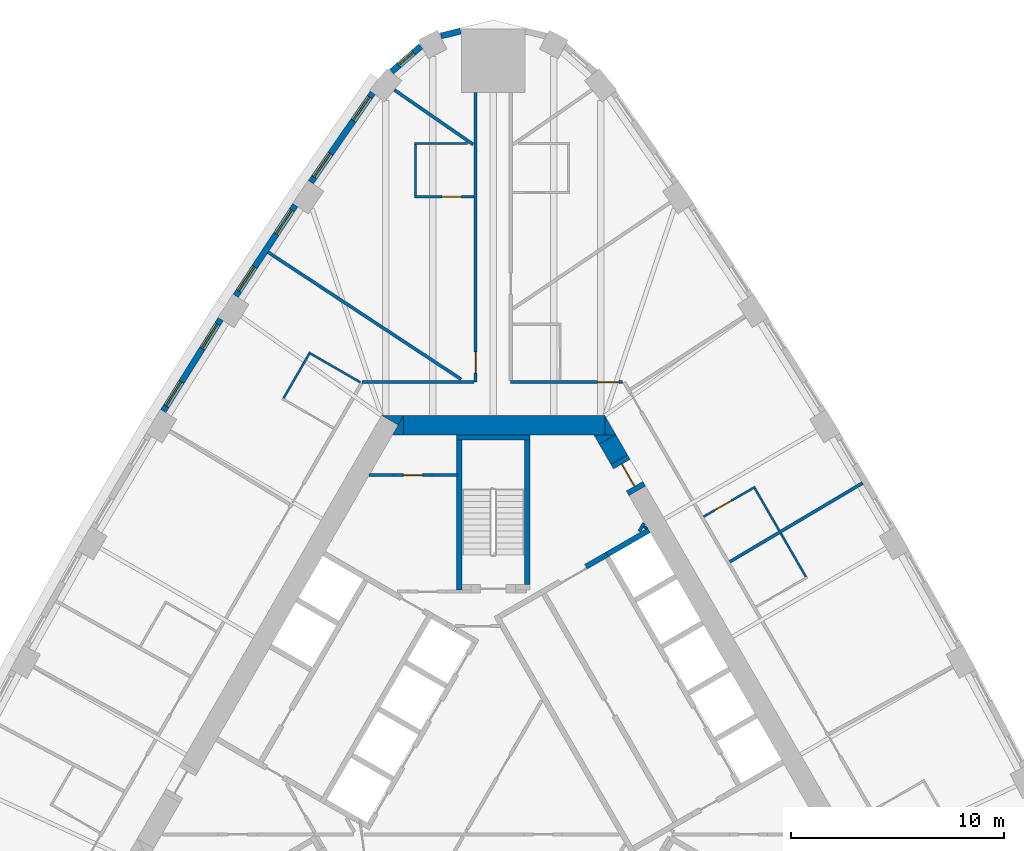
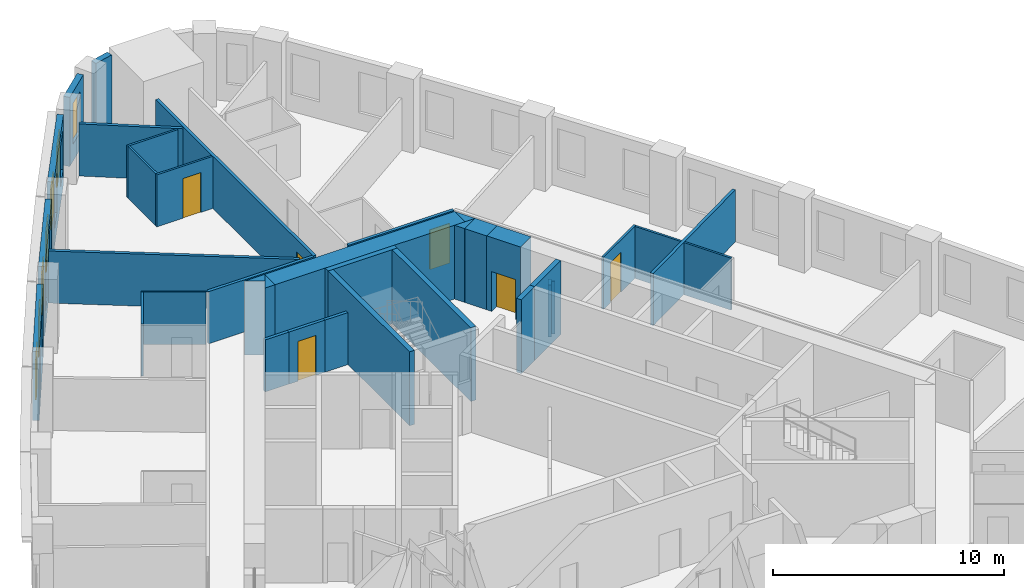
# One storey, part 10 of 12: 36 walls, 7 windows, 6 doors, 13 openings.
"""IFC4 building model written with IfcOpenShell, lengths in metres."""

import ifcopenshell
import ifcopenshell.guid

model = None  # the IFC model being written
_history = None  # IfcOwnerHistory: only IFC2X3 demands one
_inside = {}  # id of a spatial element -> (the spatial element, [elements in it])
_under = {}  # id of a project, library or spatial element -> (it, [spatial elements below it])
_declared = {}  # id of a project -> (the project, [libraries it declares])
_typed = {}  # id of a type object -> (the type object, [elements of that type])
_made_of = {}  # id of a material, layer set ... -> (it, [elements and type objects made of it])


def new_model(schema):
    """Start an empty IFC model of exactly this schema.

    Asked for "IFC4X3", IfcOpenShell would pick the latest addendum, in which some entities
    have other attributes; the version numbers below select the first issue.
    IFC2X3 requires an IfcOwnerHistory on every rooted entity: one is made here for all.
    """
    global model, _history
    if schema == "IFC4X3":
        model = ifcopenshell.file(schema_version=(4, 3, 0, 0))
    else:
        model = ifcopenshell.file(schema=schema)
    _inside.clear()
    _under.clear()
    _declared.clear()
    _typed.clear()
    _made_of.clear()
    _history = None
    if model.schema == "IFC2X3":
        org = make("IfcOrganization", Name="unknown")
        user = make(
            "IfcPersonAndOrganization",
            ThePerson=make("IfcPerson", FamilyName="unknown"),
            TheOrganization=org,
        )
        app = make(
            "IfcApplication",
            ApplicationDeveloper=org,
            Version="unknown",
            ApplicationFullName="unknown",
            ApplicationIdentifier="unknown",
        )
        _history = make(
            "IfcOwnerHistory",
            OwningUser=user,
            OwningApplication=app,
            ChangeAction="ADDED",
            CreationDate=0,
        )
    return model


def make(cls, **values):
    """One entity of the class cls with the attributes given. An attribute that is None is left unset."""
    return model.create_entity(
        cls, **{name: value for name, value in values.items() if value is not None}
    )


def rooted(cls, **values):
    """An entity with a GlobalId (a new one), such as an element, a storey or a relation."""
    return make(cls, GlobalId=ifcopenshell.guid.new(), OwnerHistory=_history, **values)


def si_unit(unit_type, name, prefix=None):
    """IfcSIUnit, for example si_unit("LENGTHUNIT", "METRE", prefix="MILLI")."""
    return make("IfcSIUnit", UnitType=unit_type, Prefix=prefix, Name=name)


def assignment(units):
    """IfcUnitAssignment: the units of a project."""
    return None if units is None else make("IfcUnitAssignment", Units=units)


def point(xyz):
    """IfcCartesianPoint."""
    return None if xyz is None else make("IfcCartesianPoint", Coordinates=xyz)


def direction(xyz):
    """IfcDirection."""
    return None if xyz is None else make("IfcDirection", DirectionRatios=xyz)


def frame(location, z_axis=None, x_axis=None):
    """IfcAxis2Placement3D, a coordinate frame: its origin and axes. An axis left out is left unset."""
    return make(
        "IfcAxis2Placement3D",
        Location=point(location),
        Axis=direction(z_axis),
        RefDirection=direction(x_axis),
    )


def frame_2d(location, x_axis=None):
    """IfcAxis2Placement2D, a coordinate frame in the plane: its origin and x axis."""
    return make(
        "IfcAxis2Placement2D", Location=point(location), RefDirection=direction(x_axis)
    )


def origin():
    """The frame at (0, 0, 0) with its axes left unset."""
    return frame((0.0, 0.0, 0.0))


def place(relative_to, where):
    """IfcLocalPlacement: puts the frame where relative to a parent placement (None: the world)."""
    return make(
        "IfcLocalPlacement", PlacementRelTo=relative_to, RelativePlacement=where
    )


def context(
    kind, dimensions, precision=None, world=None, true_north=None, identifier=None
):
    """IfcGeometricRepresentationContext, for example the 3D "Model" context."""
    return make(
        "IfcGeometricRepresentationContext",
        ContextIdentifier=identifier,
        ContextType=kind,
        CoordinateSpaceDimension=dimensions,
        Precision=precision,
        WorldCoordinateSystem=world,
        TrueNorth=true_north,
    )


def subcontext(parent, identifier, kind, view, scale=None):
    """IfcGeometricRepresentationSubContext, for example "Body" below "Model"."""
    return make(
        "IfcGeometricRepresentationSubContext",
        ContextIdentifier=identifier,
        ContextType=kind,
        ParentContext=parent,
        TargetScale=scale,
        TargetView=view,
    )


def project(units=None, contexts=None):
    """IfcProject with its units and contexts."""
    return rooted(
        "IfcProject",
        Name="project",
        RepresentationContexts=contexts,
        UnitsInContext=assignment(units),
    )


def spatial(cls, under=None, at=None, **own):
    """A site, building, storey or space (cls), placed at a placement, below another one or the project."""
    s = rooted(cls, ObjectPlacement=at, **own)
    if under is not None:
        _under.setdefault(under.id(), (under, []))[1].append(s)
    return s


def polyline(points):
    """IfcPolyline through the points."""
    return make("IfcPolyline", Points=[point(p) for p in points])


def profile(cls, at=None, kind="AREA", **sizes):
    """A parametric profile (cls). Its sizes go by their IFC names, for example OverallWidth=200.0."""
    return make(cls, ProfileType=kind, Position=at, **sizes)


def rectangle(**sizes):
    """IfcRectangleProfileDef."""
    return profile("IfcRectangleProfileDef", **sizes)


def outline(outer, holes=None, kind="AREA"):
    """IfcArbitraryClosedProfileDef: a profile drawn as a closed curve; with holes, ...WithVoids."""
    if holes is None:
        return make("IfcArbitraryClosedProfileDef", ProfileType=kind, OuterCurve=outer)
    return make(
        "IfcArbitraryProfileDefWithVoids",
        ProfileType=kind,
        OuterCurve=outer,
        InnerCurves=holes,
    )


def extrude(swept, where, along, depth):
    """IfcExtrudedAreaSolid: the profile swept, set in the frame where, extruded along a direction by depth."""
    return make(
        "IfcExtrudedAreaSolid",
        SweptArea=swept,
        Position=where,
        ExtrudedDirection=direction(along),
        Depth=depth,
    )


def shape(context_of_items, identifier, shape_type, items):
    """IfcShapeRepresentation: the items that make up one representation, for example the "Body"."""
    return make(
        "IfcShapeRepresentation",
        ContextOfItems=context_of_items,
        RepresentationIdentifier=identifier,
        RepresentationType=shape_type,
        Items=items,
    )


def material(Name=None, Category=None):
    """IfcMaterial."""
    return make("IfcMaterial", Name=Name, Category=Category)


def layer(
    of_material, thickness, ventilated=None, Name=None, Category=None, Priority=None
):
    """IfcMaterialLayer: one layer of a wall or slab, of a material (None: an air gap)."""
    return make(
        "IfcMaterialLayer",
        Material=of_material,
        LayerThickness=thickness,
        IsVentilated=ventilated,
        Name=Name,
        Category=Category,
        Priority=Priority,
    )


def layer_set(layers, Name=None):
    """IfcMaterialLayerSet."""
    return make("IfcMaterialLayerSet", MaterialLayers=layers, LayerSetName=Name)


def made_of(thing, what):
    """Note that an element or type object is made of a material, layer set ...; save() writes the relation."""
    if what is not None:
        _made_of.setdefault(what.id(), (what, []))[1].append(thing)
    return thing


def type_object(cls, material=None, **own):
    """A type object (cls), such as IfcWallType, which elements share."""
    return made_of(rooted(cls, **own), material)


def element(
    cls,
    number,
    at=None,
    inside=None,
    cuts=None,
    type_object=None,
    material=None,
    context=None,
    identifier="Body",
    shape_type=None,
    held_by="IfcProductDefinitionShape",
    body=None,
    shapes=None,
    **own,
):
    """One element of the class cls, such as IfcWall. Its Tag is "e" and its number.

    at: its placement. inside: the storey or other place that contains it. cuts: it is an
    opening in that element (IfcRelVoidsElement). A single representation is given by context,
    identifier, shape_type and body (its items); several are given by shapes. held_by: the class
    of the entity that holds the representations. save() writes the other relations.
    """
    e = rooted(cls, Tag="e%d" % number, ObjectPlacement=at, **own)
    if body is not None:
        shapes = [shape(context, identifier, shape_type, body)]
    if shapes is not None:
        e.Representation = make(held_by, Representations=shapes)
    if inside is not None:
        _inside.setdefault(inside.id(), (inside, []))[1].append(e)
    if cuts is not None:
        rooted(
            "IfcRelVoidsElement", RelatingBuildingElement=cuts, RelatedOpeningElement=e
        )
    if type_object is not None:
        _typed.setdefault(type_object.id(), (type_object, []))[1].append(e)
    return made_of(e, material)


def fill(opening, filler):
    """IfcRelFillsElement: the door or window that sits in an opening."""
    return rooted(
        "IfcRelFillsElement",
        RelatingOpeningElement=opening,
        RelatedBuildingElement=filler,
    )


def aggregate(whole, parts):
    """IfcRelAggregates: a whole, such as a stair, and the parts it consists of."""
    return rooted("IfcRelAggregates", RelatingObject=whole, RelatedObjects=parts)


def save(model, path):
    """Write the relations noted so far, then the file.

    IfcRelAggregates (storeys below a building ...), IfcRelContainedInSpatialStructure (elements
    in a storey), IfcRelDefinesByType, IfcRelAssociatesMaterial and IfcRelDeclares: one each for
    every whole, place, type object, material and project.
    """
    for whole, parts in _under.values():
        aggregate(whole, parts)
    for where, things in _inside.values():
        rooted(
            "IfcRelContainedInSpatialStructure",
            RelatedElements=things,
            RelatingStructure=where,
        )
    for kind, things in _typed.values():
        rooted("IfcRelDefinesByType", RelatedObjects=things, RelatingType=kind)
    for what, things in _made_of.values():
        rooted("IfcRelAssociatesMaterial", RelatedObjects=things, RelatingMaterial=what)
    for by, libraries in _declared.values():
        rooted("IfcRelDeclares", RelatingContext=by, RelatedDefinitions=libraries)
    model.write(path)


model = new_model("IFC4")

# Units and contexts
model_context = context("Model", 3, precision=1e-05, world=origin(), true_north=direction((0.0, 1.0)))
body_context = subcontext(model_context, "Body", "Model", "MODEL_VIEW")
ifc_project = project(units=[si_unit("LENGTHUNIT", "METRE"), si_unit("AREAUNIT", "SQUARE_METRE"), si_unit("VOLUMEUNIT", "CUBIC_METRE"), si_unit("PLANEANGLEUNIT", "RADIAN"), si_unit("MASSUNIT", "GRAM", prefix="KILO")], contexts=[model_context])

# Site, building, storey
site_placement = place(None, origin())
site = spatial("IfcSite", under=ifc_project, at=site_placement, CompositionType="ELEMENT")
building_placement = place(site_placement, origin())
building = spatial("IfcBuilding", under=site, at=building_placement, Name="Mestral Congress Tower", CompositionType="ELEMENT")
storey_placement = place(building_placement, frame((0.0, 0.0, 126.60009765625)))
storey = spatial("IfcBuildingStorey", under=building, at=storey_placement, Name="L30", CompositionType="ELEMENT", Elevation=126.60009765625)

# Walls
ifc_material_1 = material(Name="Fire-rated board partition")
ifc_layer_1 = layer(ifc_material_1, 0.14990234375)
ifc_layer_set_1 = layer_set([ifc_layer_1], Name="Fire-rated board partition")
wall_type_1 = type_object("IfcWallType", Name="Core partition 150", PredefinedType="PARTITIONING", material=ifc_layer_set_1)
wall_1_placement = place(storey_placement, frame((-5.85107421875, 14.10205078125, 0.0), z_axis=(0.0, 0.0, 1.0), x_axis=(1.0, 0.0, 0.0)))
element("IfcWall", 1, at=wall_1_placement, inside=storey, type_object=wall_type_1, Name="L30 core wall", PredefinedType="PARTITIONING", context=body_context, shape_type="SweptSolid", body=[
    extrude(rectangle(XDim=1.18017578125, YDim=0.14990234375, at=frame_2d((0.590087890625, 0.0))), origin(), (0.0, 0.0, 1.0), 2.75),
])
wall_2_placement = place(storey_placement, frame((6.87158203125, 11.44970703125, 0.0), z_axis=(0.0, 0.0, 1.0), x_axis=(0.499846793097, 0.866113839764, 0.0)))
element("IfcWall", 2, at=wall_2_placement, inside=storey, type_object=wall_type_1, Name="L30 core wall", PredefinedType="PARTITIONING", context=body_context, shape_type="SweptSolid", body=[
    extrude(rectangle(XDim=0.453369140625, YDim=0.14990234375, at=frame_2d((0.2265625, 0.0))), origin(), (0.0, 0.0, 1.0), 2.75),
])
wall_3_placement = place(storey_placement, frame((7.13134765625, 11.599609375, 0.0), z_axis=(0.0, 0.0, 1.0), x_axis=(0.498600033135, 0.866832167699, 0.0)))
element("IfcWall", 3, at=wall_3_placement, inside=storey, type_object=wall_type_1, Name="L30 core wall", PredefinedType="PARTITIONING", context=body_context, shape_type="SweptSolid", body=[
    extrude(rectangle(XDim=0.106689453125, YDim=0.14990234375, at=frame_2d((0.05322265625, 0.0))), origin(), (0.0, 0.0, 1.0), 2.75),
])
wall_4_placement = place(storey_placement, frame((-2.87060546875, 14.10205078125, 0.0), z_axis=(0.0, 0.0, 1.0), x_axis=(1.0, 0.0, 0.0)))
element("IfcWall", 4, at=wall_4_placement, inside=storey, type_object=wall_type_1, Name="L30 core wall", PredefinedType="PARTITIONING", context=body_context, shape_type="SweptSolid", body=[
    extrude(rectangle(XDim=1.195556640625, YDim=0.14990234375, at=frame_2d((0.59765625, 0.0))), origin(), (0.0, 0.0, 1.0), 2.75),
])

# Wall, opening, door
wall_5_placement = place(storey_placement, frame((-2.870849609375, 14.10205078125, 0.0), z_axis=(0.0, 0.0, 1.0), x_axis=(-1.0, 0.0, 0.0)))
wall_5 = element("IfcWall", 5, at=wall_5_placement, inside=storey, type_object=wall_type_1, Name="L30 door wall", PredefinedType="PARTITIONING", context=body_context, shape_type="SweptSolid", body=[
    extrude(rectangle(XDim=1.800048828125, YDim=0.14990234375, at=frame_2d((0.89990234375, 0.0))), origin(), (0.0, 0.0, 1.0), 2.75),
])
opening_1_placement = place(wall_5_placement, frame((0.449951171875, 0.0, 0.0)))
opening_1 = element("IfcOpeningElement", 6, at=opening_1_placement, cuts=wall_5, Name="Opening SD-WS2", PredefinedType="OPENING", context=body_context, shape_type="SweptSolid", body=[
    extrude(rectangle(XDim=0.89990234375, YDim=2.10009765625, at=frame_2d((0.449951171875, 1.050048828125))), frame((0.0, 0.0849609375, 0.0), z_axis=(0.0, -1.0, 0.0), x_axis=(1.0, 0.0, 0.0)), (0.0, 0.0, 1.0), 0.169921875),
])
ifc_material_2 = material(Name="Fire-rated steel door set", Category="steel")
door_type_1 = type_object("IfcDoorType", Name="Core door SR 900x2100", OperationType="SINGLE_SWING_LEFT", PredefinedType="DOOR", material=ifc_material_2)
door_1_placement = place(opening_1_placement, origin())
door_1 = element("IfcDoor", 7, at=door_1_placement, inside=storey, type_object=door_type_1, Name="Door SD-WS2", OperationType="SINGLE_SWING_LEFT", OverallHeight=2.10009765625, OverallWidth=0.89990234375, PredefinedType="DOOR", context=body_context, shape_type="SweptSolid", body=[
    extrude(rectangle(XDim=0.89990234375, YDim=2.10009765625, at=frame_2d((0.449951171875, 1.050048828125))), frame((0.0, 0.02490234375, 0.0), z_axis=(0.0, -1.0, 0.0), x_axis=(1.0, 0.0, 0.0)), (0.0, 0.0, 1.0), 0.050048828125),
])
fill(opening_1, door_1)

# Walls
ifc_material_3 = material(Name="Concrete C60/75", Category="concrete")
ifc_layer_2 = layer(ifc_material_3, 0.89990234375)
ifc_layer_set_2 = layer_set([ifc_layer_2], Name="Concrete C60/75")
wall_type_2 = type_object("IfcWallType", Name="Core wall RC 900", PredefinedType="SOLIDWALL", material=ifc_layer_set_2)
placement = place(storey_placement, origin())
element("IfcWall", 8, at=placement, inside=storey, type_object=wall_type_2, Name="L30 core wall", PredefinedType="SOLIDWALL", context=body_context, shape_type="SweptSolid", body=[
    extrude(outline(polyline([(-4.214599609375, 16.89990234375), (-4.46875, 16.460205078125), (-5.230712890625, 16.89990234375), (-4.214599609375, 16.89990234375)])), origin(), (0.0, 0.0, 1.0), 3.89990234375),
])
wall_7_placement = place(storey_placement, frame((-4.224365234375, 16.449951171875, 0.0), z_axis=(0.0, 0.0, 1.0), x_axis=(1.0, 0.0, 0.0)))
element("IfcWall", 9, at=wall_7_placement, inside=storey, type_object=wall_type_2, Name="L30 core wall", PredefinedType="SOLIDWALL", context=body_context, shape_type="SweptSolid", body=[
    extrude(rectangle(XDim=9.48779296875, YDim=0.89990234375, at=frame_2d((4.743896484375, 0.0))), origin(), (0.0, 0.0, 1.0), 3.89990234375),
])
element("IfcWall", 10, at=placement, inside=storey, type_object=wall_type_2, Name="L30 core wall", PredefinedType="SOLIDWALL", context=body_context, shape_type="SweptSolid", body=[
    extrude(outline(polyline([(5.265380859375, 16.0), (5.265380859375, 16.8798828125), (5.7734375, 16.0), (5.265380859375, 16.0)])), origin(), (0.0, 0.0, 1.0), 3.89990234375),
])
element("IfcWall", 11, at=placement, inside=storey, type_object=wall_type_2, Name="L30 core wall", PredefinedType="SOLIDWALL", context=body_context, shape_type="SweptSolid", body=[
    extrude(outline(polyline([(-4.734375, 16.0), (-4.226318359375, 16.8798828125), (-4.226318359375, 16.0), (-4.734375, 16.0)])), origin(), (0.0, 0.0, 1.0), 3.89990234375),
])
wall_10_placement = place(storey_placement, frame((5.92578125, 14.836181640625, 0.0), z_axis=(0.0, 0.0, 1.0), x_axis=(-0.500076735116, 0.865981096212, 0.0)))
element("IfcWall", 12, at=wall_10_placement, inside=storey, type_object=wall_type_2, Name="L30 core wall", PredefinedType="SOLIDWALL", context=body_context, shape_type="SweptSolid", body=[
    extrude(rectangle(XDim=1.093505859375, YDim=0.89990234375, at=frame_2d((0.546875, 0.0))), origin(), (0.0, 0.0, 1.0), 3.89990234375),
])
element("IfcWall", 13, at=placement, inside=storey, type_object=wall_type_2, Name="L30 core wall", PredefinedType="SOLIDWALL", context=body_context, shape_type="SweptSolid", body=[
    extrude(outline(polyline([(4.734375, 16.0), (5.750244140625, 16.0), (4.98828125, 15.56005859375), (4.734375, 16.0)])), origin(), (0.0, 0.0, 1.0), 3.89990234375),
])

# Wall, opening, door
wall_12_placement = place(storey_placement, frame((5.92578125, 14.836181640625, 0.0), z_axis=(0.0, 0.0, 1.0), x_axis=(0.500062241894, -0.865989465428, 0.0)))
wall_12 = element("IfcWall", 14, at=wall_12_placement, inside=storey, type_object=wall_type_2, Name="L30 door wall", PredefinedType="SOLIDWALL", context=body_context, shape_type="SweptSolid", body=[
    extrude(rectangle(XDim=1.699951171875, YDim=0.89990234375, at=frame_2d((0.85009765625, 0.0))), origin(), (0.0, 0.0, 1.0), 3.89990234375),
])
opening_2_placement = place(wall_12_placement, frame((0.25, 0.0, 0.0)))
opening_2 = element("IfcOpeningElement", 15, at=opening_2_placement, cuts=wall_12, Name="Opening XD2", PredefinedType="OPENING", context=body_context, shape_type="SweptSolid", body=[
    extrude(rectangle(XDim=1.199951171875, YDim=2.10009765625, at=frame_2d((0.60009765625, 1.050048828125))), frame((0.0, 0.4599609375, 0.0), z_axis=(0.0, -1.0, 0.0), x_axis=(1.0, 0.0, 0.0)), (0.0, 0.0, 1.0), 0.919921875),
])
door_type_2 = type_object("IfcDoorType", Name="Core door XD 1200x2100", OperationType="SINGLE_SWING_LEFT", PredefinedType="DOOR", material=ifc_material_2)
door_2_placement = place(opening_2_placement, origin())
door_2 = element("IfcDoor", 16, at=door_2_placement, inside=storey, type_object=door_type_2, Name="Door XD2", OperationType="SINGLE_SWING_LEFT", OverallHeight=2.10009765625, OverallWidth=1.199951171875, PredefinedType="DOOR", context=body_context, shape_type="SweptSolid", body=[
    extrude(rectangle(XDim=1.199951171875, YDim=2.10009765625, at=frame_2d((0.60009765625, 1.050048828125))), frame((0.0, 0.02490234375, 0.0), z_axis=(0.0, -1.0, 0.0), x_axis=(1.0, 0.0, 0.0)), (0.0, 0.0, 1.0), 0.050048828125),
])
fill(opening_2, door_2)

# Wall
ifc_material_4 = material(Name="Precast concrete C40/50 with limestone facing", Category="masonry")
ifc_layer_3 = layer(ifc_material_4, 0.2900390625)
ifc_layer_set_3 = layer_set([ifc_layer_3], Name="Precast concrete C40/50 with limestone facing")
wall_type_3 = type_object("IfcWallType", Name="Facade stone wall 290", PredefinedType="SOLIDWALL", material=ifc_layer_set_3)
wall_13_placement = place(storey_placement, frame((-1.53515625, 34.9892578125, 0.0), z_axis=(0.0, 0.0, 1.0), x_axis=(-0.971713991574, -0.236160789674, 0.0)))
element("IfcWall", 17, at=wall_13_placement, inside=storey, type_object=wall_type_3, Name="Facade wall K1-2", PredefinedType="SOLIDWALL", context=body_context, shape_type="SweptSolid", body=[
    extrude(rectangle(XDim=0.947021484375, YDim=0.2900390625, at=frame_2d((0.4736328125, 0.0))), origin(), (0.0, 0.0, 1.0), 3.64990234375),
])

# Wall, opening, window
wall_14_placement = place(storey_placement, frame((-3.404541015625, 34.275390625, 0.0), z_axis=(0.0, 0.0, 1.0), x_axis=(-0.754882764627, -0.655859749999, 0.0)))
wall_14 = element("IfcWall", 18, at=wall_14_placement, inside=storey, type_object=wall_type_3, Name="Facade wall K1-3", PredefinedType="SOLIDWALL", context=body_context, shape_type="SweptSolid", body=[
    extrude(rectangle(XDim=1.819580078125, YDim=0.2900390625, at=frame_2d((0.90966796875, 0.0))), origin(), (0.0, 0.0, 1.0), 3.64990234375),
])
opening_3_placement = place(wall_14_placement, frame((0.459716796875, 0.0, 0.89990234375)))
opening_3 = element("IfcOpeningElement", 19, at=opening_3_placement, cuts=wall_14, Name="Opening W3", PredefinedType="OPENING", context=body_context, shape_type="SweptSolid", body=[
    extrude(rectangle(XDim=0.89990234375, YDim=2.14990234375, at=frame_2d((0.449951171875, 1.074951171875))), frame((0.0, 0.155029296875, 0.0), z_axis=(0.0, -1.0, 0.0), x_axis=(1.0, 0.0, 0.0)), (0.0, 0.0, 1.0), 0.31005859375),
])
ifc_material_5 = material(Name="Clear low-emissivity double glazing", Category="glass")
window_type_1 = type_object("IfcWindowType", Name="Facade punched window 900 x 2150 sill 900", PartitioningType="SINGLE_PANEL", PredefinedType="WINDOW", material=ifc_material_5)
window_1_placement = place(opening_3_placement, origin())
window_1 = element("IfcWindow", 20, at=window_1_placement, inside=storey, type_object=window_type_1, Name="Window K1-3", OverallHeight=2.14990234375, OverallWidth=0.89990234375, PartitioningType="SINGLE_PANEL", PredefinedType="WINDOW", context=body_context, shape_type="SweptSolid", body=[
    extrude(rectangle(XDim=0.89990234375, YDim=2.14990234375, at=frame_2d((0.449951171875, 1.074951171875))), frame((0.0, 0.01513671875, 0.0), z_axis=(0.0, -1.0, 0.0), x_axis=(1.0, 0.0, 0.0)), (0.0, 0.0, 1.0), 0.06005859375),
])
fill(opening_3, window_1)

# Wall, openings, windows
wall_15_placement = place(storey_placement, frame((-5.67333984375, 32.0810546875, 0.0), z_axis=(0.0, 0.0, 1.0), x_axis=(-0.569113019126, -0.822259309136, 0.0)))
wall_15 = element("IfcWall", 21, at=wall_15_placement, inside=storey, type_object=wall_type_3, Name="Facade wall F2-00", PredefinedType="SOLIDWALL", context=body_context, shape_type="SweptSolid", body=[
    extrude(rectangle(XDim=5.106689453125, YDim=0.2900390625, at=frame_2d((2.55322265625, 0.0))), origin(), (0.0, 0.0, 1.0), 3.64990234375),
])
opening_4_placement = place(wall_15_placement, frame((0.240478515625, 0.0, 0.89990234375)))
opening_4 = element("IfcOpeningElement", 22, at=opening_4_placement, cuts=wall_15, Name="Opening W2", PredefinedType="OPENING", context=body_context, shape_type="SweptSolid", body=[
    extrude(rectangle(XDim=1.35009765625, YDim=2.14990234375, at=frame_2d((0.675048828125, 1.074951171875))), frame((0.0, 0.155029296875, 0.0), z_axis=(0.0, -1.0, 0.0), x_axis=(1.0, 0.0, 0.0)), (0.0, 0.0, 1.0), 0.31005859375),
])
opening_5_placement = place(wall_15_placement, frame((3.47119140625, 0.0, 0.89990234375)))
opening_5 = element("IfcOpeningElement", 23, at=opening_5_placement, cuts=wall_15, Name="Opening W2", PredefinedType="OPENING", context=body_context, shape_type="SweptSolid", body=[
    extrude(rectangle(XDim=1.35009765625, YDim=2.14990234375, at=frame_2d((0.675048828125, 1.074951171875))), frame((0.0, 0.155029296875, 0.0), z_axis=(0.0, -1.0, 0.0), x_axis=(1.0, 0.0, 0.0)), (0.0, 0.0, 1.0), 0.31005859375),
])
window_type_2 = type_object("IfcWindowType", Name="Facade punched window 1350 x 2150 sill 900", PartitioningType="DOUBLE_PANEL_VERTICAL", PredefinedType="WINDOW", material=ifc_material_5)
window_2_placement = place(opening_4_placement, origin())
window_2 = element("IfcWindow", 24, at=window_2_placement, inside=storey, type_object=window_type_2, Name="Window F2-00a", OverallHeight=2.14990234375, OverallWidth=1.35009765625, PartitioningType="DOUBLE_PANEL_VERTICAL", PredefinedType="WINDOW", context=body_context, shape_type="SweptSolid", body=[
    extrude(rectangle(XDim=1.35009765625, YDim=2.14990234375, at=frame_2d((0.675048828125, 1.074951171875))), frame((0.0, 0.01513671875, 0.0), z_axis=(0.0, -1.0, 0.0), x_axis=(1.0, 0.0, 0.0)), (0.0, 0.0, 1.0), 0.06005859375),
])
fill(opening_4, window_2)
window_3_placement = place(opening_5_placement, origin())
window_3 = element("IfcWindow", 25, at=window_3_placement, inside=storey, type_object=window_type_2, Name="Window F2-00b", OverallHeight=2.14990234375, OverallWidth=1.35009765625, PartitioningType="DOUBLE_PANEL_VERTICAL", PredefinedType="WINDOW", context=body_context, shape_type="SweptSolid", body=[
    extrude(rectangle(XDim=1.35009765625, YDim=2.14990234375, at=frame_2d((0.675048828125, 1.074951171875))), frame((0.0, 0.01513671875, 0.0), z_axis=(0.0, -1.0, 0.0), x_axis=(1.0, 0.0, 0.0)), (0.0, 0.0, 1.0), 0.06005859375),
])
fill(opening_5, window_3)

wall_16_placement = place(storey_placement, frame((-9.310791015625, 26.799072265625, 0.0), z_axis=(0.0, 0.0, 1.0), x_axis=(-0.549741341923, -0.835334937005, 0.0)))
wall_16 = element("IfcWall", 26, at=wall_16_placement, inside=storey, type_object=wall_type_3, Name="Facade wall F2-01", PredefinedType="SOLIDWALL", context=body_context, shape_type="SweptSolid", body=[
    extrude(rectangle(XDim=5.10009765625, YDim=0.2900390625, at=frame_2d((2.550048828125, 0.0))), origin(), (0.0, 0.0, 1.0), 3.64990234375),
])
opening_6_placement = place(wall_16_placement, frame((0.272705078125, 0.0, 0.89990234375)))
opening_6 = element("IfcOpeningElement", 27, at=opening_6_placement, cuts=wall_16, Name="Opening W2", PredefinedType="OPENING", context=body_context, shape_type="SweptSolid", body=[
    extrude(rectangle(XDim=1.35009765625, YDim=2.14990234375, at=frame_2d((0.675048828125, 1.074951171875))), frame((0.0, 0.155029296875, 0.0), z_axis=(0.0, -1.0, 0.0), x_axis=(1.0, 0.0, 0.0)), (0.0, 0.0, 1.0), 0.31005859375),
])
opening_7_placement = place(wall_16_placement, frame((3.477783203125, 0.0, 0.89990234375)))
opening_7 = element("IfcOpeningElement", 28, at=opening_7_placement, cuts=wall_16, Name="Opening W2", PredefinedType="OPENING", context=body_context, shape_type="SweptSolid", body=[
    extrude(rectangle(XDim=1.35009765625, YDim=2.14990234375, at=frame_2d((0.675048828125, 1.074951171875))), frame((0.0, 0.155029296875, 0.0), z_axis=(0.0, -1.0, 0.0), x_axis=(1.0, 0.0, 0.0)), (0.0, 0.0, 1.0), 0.31005859375),
])
window_4_placement = place(opening_6_placement, origin())
window_4 = element("IfcWindow", 29, at=window_4_placement, inside=storey, type_object=window_type_2, Name="Window F2-01a", OverallHeight=2.14990234375, OverallWidth=1.35009765625, PartitioningType="DOUBLE_PANEL_VERTICAL", PredefinedType="WINDOW", context=body_context, shape_type="SweptSolid", body=[
    extrude(rectangle(XDim=1.35009765625, YDim=2.14990234375, at=frame_2d((0.675048828125, 1.074951171875))), frame((0.0, 0.01513671875, 0.0), z_axis=(0.0, -1.0, 0.0), x_axis=(1.0, 0.0, 0.0)), (0.0, 0.0, 1.0), 0.06005859375),
])
fill(opening_6, window_4)
window_5_placement = place(opening_7_placement, origin())
window_5 = element("IfcWindow", 30, at=window_5_placement, inside=storey, type_object=window_type_2, Name="Window F2-01b", OverallHeight=2.14990234375, OverallWidth=1.35009765625, PartitioningType="DOUBLE_PANEL_VERTICAL", PredefinedType="WINDOW", context=body_context, shape_type="SweptSolid", body=[
    extrude(rectangle(XDim=1.35009765625, YDim=2.14990234375, at=frame_2d((0.675048828125, 1.074951171875))), frame((0.0, 0.01513671875, 0.0), z_axis=(0.0, -1.0, 0.0), x_axis=(1.0, 0.0, 0.0)), (0.0, 0.0, 1.0), 0.06005859375),
])
fill(opening_7, window_5)

wall_17_placement = place(storey_placement, frame((-12.820068359375, 21.43896484375, 0.0), z_axis=(0.0, 0.0, 1.0), x_axis=(-0.530072082134, -0.847952585787, 0.0)))
wall_17 = element("IfcWall", 31, at=wall_17_placement, inside=storey, type_object=wall_type_3, Name="Facade wall F2-02", PredefinedType="SOLIDWALL", context=body_context, shape_type="SweptSolid", body=[
    extrude(rectangle(XDim=5.100341796875, YDim=0.2900390625, at=frame_2d((2.55029296875, 0.0))), origin(), (0.0, 0.0, 1.0), 3.64990234375),
])
opening_8_placement = place(wall_17_placement, frame((0.272705078125, 0.0, 0.89990234375)))
opening_8 = element("IfcOpeningElement", 32, at=opening_8_placement, cuts=wall_17, Name="Opening W2", PredefinedType="OPENING", context=body_context, shape_type="SweptSolid", body=[
    extrude(rectangle(XDim=1.35009765625, YDim=2.14990234375, at=frame_2d((0.675048828125, 1.074951171875))), frame((0.0, 0.155029296875, 0.0), z_axis=(0.0, -1.0, 0.0), x_axis=(1.0, 0.0, 0.0)), (0.0, 0.0, 1.0), 0.31005859375),
])
opening_9_placement = place(wall_17_placement, frame((3.477783203125, 0.0, 0.89990234375)))
opening_9 = element("IfcOpeningElement", 33, at=opening_9_placement, cuts=wall_17, Name="Opening W2", PredefinedType="OPENING", context=body_context, shape_type="SweptSolid", body=[
    extrude(rectangle(XDim=1.35009765625, YDim=2.14990234375, at=frame_2d((0.675048828125, 1.074951171875))), frame((0.0, 0.155029296875, 0.0), z_axis=(0.0, -1.0, 0.0), x_axis=(1.0, 0.0, 0.0)), (0.0, 0.0, 1.0), 0.31005859375),
])
window_6_placement = place(opening_8_placement, origin())
window_6 = element("IfcWindow", 34, at=window_6_placement, inside=storey, type_object=window_type_2, Name="Window F2-02a", OverallHeight=2.14990234375, OverallWidth=1.35009765625, PartitioningType="DOUBLE_PANEL_VERTICAL", PredefinedType="WINDOW", context=body_context, shape_type="SweptSolid", body=[
    extrude(rectangle(XDim=1.35009765625, YDim=2.14990234375, at=frame_2d((0.675048828125, 1.074951171875))), frame((0.0, 0.01513671875, 0.0), z_axis=(0.0, -1.0, 0.0), x_axis=(1.0, 0.0, 0.0)), (0.0, 0.0, 1.0), 0.06005859375),
])
fill(opening_8, window_6)
window_7_placement = place(opening_9_placement, origin())
window_7 = element("IfcWindow", 35, at=window_7_placement, inside=storey, type_object=window_type_2, Name="Window F2-02b", OverallHeight=2.14990234375, OverallWidth=1.35009765625, PartitioningType="DOUBLE_PANEL_VERTICAL", PredefinedType="WINDOW", context=body_context, shape_type="SweptSolid", body=[
    extrude(rectangle(XDim=1.35009765625, YDim=2.14990234375, at=frame_2d((0.675048828125, 1.074951171875))), frame((0.0, 0.01513671875, 0.0), z_axis=(0.0, -1.0, 0.0), x_axis=(1.0, 0.0, 0.0)), (0.0, 0.0, 1.0), 0.06005859375),
])
fill(opening_9, window_7)

# Wall
ifc_material_6 = material(Name="Gypsum board partition on metal studs with mineral wool", Category="composite")
ifc_layer_4 = layer(ifc_material_6, 0.10009765625)
ifc_layer_set_4 = layer_set([ifc_layer_4], Name="Gypsum board partition on metal studs with mineral wool")
wall_type_4 = type_object("IfcWallType", Name="Hotel partition wall 100", PredefinedType="PARTITIONING", material=ifc_layer_set_4)
wall_18_placement = place(storey_placement, frame((14.7119140625, 9.318115234375, 0.0), z_axis=(0.0, 0.0, 1.0), x_axis=(-0.50000006957, 0.866025363618, 0.0)))
element("IfcWall", 36, at=wall_18_placement, inside=storey, type_object=wall_type_4, Name="L30-h-pod09b", PredefinedType="PARTITIONING", context=body_context, shape_type="SweptSolid", body=[
    extrude(rectangle(XDim=2.35986328125, YDim=0.10009765625, at=frame_2d((1.179931640625, 0.0))), origin(), (0.0, 0.0, 1.0), 2.75),
])

# Wall, opening, door
wall_19_placement = place(storey_placement, frame((12.3271484375, 13.548828125, 0.0), z_axis=(0.0, 0.0, 1.0), x_axis=(-0.866056369097, -0.49994636267, 0.0)))
wall_19 = element("IfcWall", 37, at=wall_19_placement, inside=storey, type_object=wall_type_4, Name="L30-h-pod10a", PredefinedType="PARTITIONING", context=body_context, shape_type="SweptSolid", body=[
    extrude(rectangle(XDim=2.800048828125, YDim=0.10009765625, at=frame_2d((1.39990234375, 0.0))), origin(), (0.0, 0.0, 1.0), 2.75),
])
opening_10_placement = place(wall_19_placement, frame((1.300048828125, 0.0, 0.0)))
opening_10 = element("IfcOpeningElement", 38, at=opening_10_placement, cuts=wall_19, Name="Opening H09-020", PredefinedType="OPENING", context=body_context, shape_type="SweptSolid", body=[
    extrude(rectangle(XDim=0.89990234375, YDim=2.10009765625, at=frame_2d((0.449951171875, 1.050048828125))), frame((0.0, 0.06005859375, 0.0), z_axis=(0.0, -1.0, 0.0), x_axis=(1.0, 0.0, 0.0)), (0.0, 0.0, 1.0), 0.1201171875),
])
ifc_material_7 = material(Name="Timber veneer door leaf in timber frame", Category="wood")
door_type_3 = type_object("IfcDoorType", Name="Bathroom door 900", OperationType="SINGLE_SWING_LEFT", PredefinedType="DOOR", material=ifc_material_7)
door_3_placement = place(opening_10_placement, origin())
door_3 = element("IfcDoor", 39, at=door_3_placement, inside=storey, type_object=door_type_3, Name="L30-h-d020", OperationType="SINGLE_SWING_LEFT", OverallHeight=2.10009765625, OverallWidth=0.89990234375, PredefinedType="DOOR", context=body_context, shape_type="SweptSolid", body=[
    extrude(rectangle(XDim=0.89990234375, YDim=2.10009765625, at=frame_2d((0.449951171875, 1.050048828125))), frame((0.0, 0.02490234375, 0.0), z_axis=(0.0, -1.0, 0.0), x_axis=(1.0, 0.0, 0.0)), (0.0, 0.0, 1.0), 0.050048828125),
])
fill(opening_10, door_3)

# Wall
wall_20_placement = place(storey_placement, frame((12.308837890625, 13.480712890625, 0.0), z_axis=(0.0, 0.0, 1.0), x_axis=(0.499968531483, -0.866043571379, 0.0)))
element("IfcWall", 40, at=wall_20_placement, inside=storey, type_object=wall_type_4, Name="L30-h-pod10b", PredefinedType="PARTITIONING", context=body_context, shape_type="SweptSolid", body=[
    extrude(rectangle(XDim=2.290283203125, YDim=0.10009765625, at=frame_2d((1.14501953125, 0.0))), origin(), (0.0, 0.0, 1.0), 2.75),
])

# Wall, opening, door
wall_21_placement = place(storey_placement, frame((-3.699951171875, 27.197998046875, 0.0), z_axis=(0.0, 0.0, 1.0), x_axis=(1.0, 0.0, 0.0)))
wall_21 = element("IfcWall", 41, at=wall_21_placement, inside=storey, type_object=wall_type_4, Name="L30-h-pod13a", PredefinedType="PARTITIONING", context=body_context, shape_type="SweptSolid", body=[
    extrude(rectangle(XDim=2.800048828125, YDim=0.10009765625, at=frame_2d((1.39990234375, 0.0))), origin(), (0.0, 0.0, 1.0), 2.75),
])
opening_11_placement = place(wall_21_placement, frame((1.300048828125, 0.0, 0.0)))
opening_11 = element("IfcOpeningElement", 42, at=opening_11_placement, cuts=wall_21, Name="Opening H09-026", PredefinedType="OPENING", context=body_context, shape_type="SweptSolid", body=[
    extrude(rectangle(XDim=0.89990234375, YDim=2.10009765625, at=frame_2d((0.449951171875, 1.050048828125))), frame((0.0, 0.06005859375, 0.0), z_axis=(0.0, -1.0, 0.0), x_axis=(1.0, 0.0, 0.0)), (0.0, 0.0, 1.0), 0.1201171875),
])
door_4_placement = place(opening_11_placement, origin())
door_4 = element("IfcDoor", 43, at=door_4_placement, inside=storey, type_object=door_type_3, Name="L30-h-d026", OperationType="SINGLE_SWING_LEFT", OverallHeight=2.10009765625, OverallWidth=0.89990234375, PredefinedType="DOOR", context=body_context, shape_type="SweptSolid", body=[
    extrude(rectangle(XDim=0.89990234375, YDim=2.10009765625, at=frame_2d((0.449951171875, 1.050048828125))), frame((0.0, 0.02490234375, 0.0), z_axis=(0.0, -1.0, 0.0), x_axis=(1.0, 0.0, 0.0)), (0.0, 0.0, 1.0), 0.050048828125),
])
fill(opening_11, door_4)

# Walls
wall_22_placement = place(storey_placement, frame((-3.64990234375, 27.248046875, 0.0), z_axis=(0.0, 0.0, 1.0), x_axis=(0.0, 1.0, 0.0)))
element("IfcWall", 44, at=wall_22_placement, inside=storey, type_object=wall_type_4, Name="L30-h-pod13b", PredefinedType="PARTITIONING", context=body_context, shape_type="SweptSolid", body=[
    extrude(rectangle(XDim=2.39990234375, YDim=0.10009765625, at=frame_2d((1.199951171875, 0.0))), origin(), (0.0, 0.0, 1.0), 2.75),
])
wall_23_placement = place(storey_placement, frame((-1.199951171875, 29.697998046875, 0.0), z_axis=(0.0, 0.0, 1.0), x_axis=(-1.0, 0.0, 0.0)))
element("IfcWall", 45, at=wall_23_placement, inside=storey, type_object=wall_type_4, Name="L30-h-pod13c", PredefinedType="PARTITIONING", context=body_context, shape_type="SweptSolid", body=[
    extrude(rectangle(XDim=2.5, YDim=0.10009765625, at=frame_2d((1.25, 0.0))), origin(), (0.0, 0.0, 1.0), 2.75),
])
wall_24_placement = place(storey_placement, frame((-9.859619140625, 17.722412109375, 0.0), z_axis=(0.0, 0.0, 1.0), x_axis=(0.500001309137, 0.866024647952, 0.0)))
element("IfcWall", 46, at=wall_24_placement, inside=storey, type_object=wall_type_4, Name="L30-h-pod14b", PredefinedType="PARTITIONING", context=body_context, shape_type="SweptSolid", body=[
    extrude(rectangle(XDim=2.39990234375, YDim=0.10009765625, at=frame_2d((1.199951171875, 0.0))), origin(), (0.0, 0.0, 1.0), 2.75),
])
wall_25_placement = place(storey_placement, frame((-6.253173828125, 18.46923828125, 0.0), z_axis=(0.0, 0.0, 1.0), x_axis=(-0.866034573852, 0.49998411664, 0.0)))
element("IfcWall", 47, at=wall_25_placement, inside=storey, type_object=wall_type_4, Name="L30-h-pod14c", PredefinedType="PARTITIONING", context=body_context, shape_type="SweptSolid", body=[
    extrude(rectangle(XDim=2.7998046875, YDim=0.10009765625, at=frame_2d((1.39990234375, 0.0))), origin(), (0.0, 0.0, 1.0), 2.75),
])

# Wall, opening, door
ifc_layer_5 = layer(ifc_material_6, 0.14990234375)
ifc_layer_set_5 = layer_set([ifc_layer_5], Name="Gypsum board partition on metal studs with mineral wool")
wall_type_5 = type_object("IfcWallType", Name="Hotel partition wall 150", PredefinedType="PARTITIONING", material=ifc_layer_set_5)
wall_26_placement = place(storey_placement, frame((0.824951171875, 18.47509765625, 0.0), z_axis=(0.0, 0.0, 1.0), x_axis=(1.0, 0.0, 0.0)))
wall_26 = element("IfcWall", 48, at=wall_26_placement, inside=storey, type_object=wall_type_5, Name="L30-h-cw04", PredefinedType="PARTITIONING", context=body_context, shape_type="SweptSolid", body=[
    extrude(rectangle(XDim=5.268310546875, YDim=0.14990234375, at=frame_2d((2.63427734375, 0.0))), origin(), (0.0, 0.0, 1.0), 2.75),
])
opening_12_placement = place(wall_26_placement, frame((4.088134765625, 0.0, 0.0)))
opening_12 = element("IfcOpeningElement", 49, at=opening_12_placement, cuts=wall_26, Name="Opening H09-021", PredefinedType="OPENING", context=body_context, shape_type="SweptSolid", body=[
    extrude(rectangle(XDim=1.0, YDim=2.10009765625, at=frame_2d((0.5, 1.050048828125))), frame((0.0, 0.0849609375, 0.0), z_axis=(0.0, -1.0, 0.0), x_axis=(1.0, 0.0, 0.0)), (0.0, 0.0, 1.0), 0.169921875),
])
ifc_material_8 = material(Name="Timber veneer door leaf in metal frame", Category="wood")
door_type_4 = type_object("IfcDoorType", Name="Guest room entrance door 1000", OperationType="SINGLE_SWING_LEFT", PredefinedType="DOOR", material=ifc_material_8)
door_5_placement = place(opening_12_placement, origin())
door_5 = element("IfcDoor", 50, at=door_5_placement, inside=storey, type_object=door_type_4, Name="L30-h-d021", OperationType="SINGLE_SWING_RIGHT", OverallHeight=2.10009765625, OverallWidth=1.0, PredefinedType="DOOR", context=body_context, shape_type="SweptSolid", body=[
    extrude(rectangle(XDim=1.0, YDim=2.10009765625, at=frame_2d((0.5, 1.050048828125))), frame((0.0, 0.02490234375, 0.0), z_axis=(0.0, -1.0, 0.0), x_axis=(1.0, 0.0, 0.0)), (0.0, 0.0, 1.0), 0.050048828125),
])
fill(opening_12, door_5)

wall_27_placement = place(storey_placement, frame((-0.824951171875, 18.47509765625, 0.0), z_axis=(0.0, 0.0, 1.0), x_axis=(0.0, 1.0, 0.0)))
wall_27 = element("IfcWall", 51, at=wall_27_placement, inside=storey, type_object=wall_type_5, Name="L30-h-cw06", PredefinedType="PARTITIONING", context=body_context, shape_type="SweptSolid", body=[
    extrude(rectangle(XDim=13.623291015625, YDim=0.14990234375, at=frame_2d((6.8115234375, 0.0))), origin(), (0.0, 0.0, 1.0), 2.75),
])
opening_13_placement = place(wall_27_placement, frame((0.427001953125, 0.0, 0.0)))
opening_13 = element("IfcOpeningElement", 52, at=opening_13_placement, cuts=wall_27, Name="Opening H09-025", PredefinedType="OPENING", context=body_context, shape_type="SweptSolid", body=[
    extrude(rectangle(XDim=1.0, YDim=2.10009765625, at=frame_2d((0.5, 1.050048828125))), frame((0.0, 0.0849609375, 0.0), z_axis=(0.0, -1.0, 0.0), x_axis=(1.0, 0.0, 0.0)), (0.0, 0.0, 1.0), 0.169921875),
])
door_6_placement = place(opening_13_placement, origin())
door_6 = element("IfcDoor", 53, at=door_6_placement, inside=storey, type_object=door_type_4, Name="L30-h-d025", OperationType="SINGLE_SWING_LEFT", OverallHeight=2.10009765625, OverallWidth=1.0, PredefinedType="DOOR", context=body_context, shape_type="SweptSolid", body=[
    extrude(rectangle(XDim=1.0, YDim=2.10009765625, at=frame_2d((0.5, 1.050048828125))), frame((0.0, 0.02490234375, 0.0), z_axis=(0.0, -1.0, 0.0), x_axis=(1.0, 0.0, 0.0)), (0.0, 0.0, 1.0), 0.050048828125),
])
fill(opening_13, door_6)

# Walls
wall_28_placement = place(storey_placement, frame((-6.1630859375, 18.47509765625, 0.0), z_axis=(0.0, 0.0, 1.0), x_axis=(1.0, 0.0, 0.0)))
element("IfcWall", 54, at=wall_28_placement, inside=storey, type_object=wall_type_5, Name="L30-h-cw07", PredefinedType="PARTITIONING", context=body_context, shape_type="SweptSolid", body=[
    extrude(rectangle(XDim=5.258056640625, YDim=0.14990234375, at=frame_2d((2.62890625, 0.0))), origin(), (0.0, 0.0, 1.0), 2.75),
])
wall_29_placement = place(storey_placement, frame((-10.591552734375, 24.589111328125, 0.0), z_axis=(0.0, 0.0, 1.0), x_axis=(0.835337323748, -0.549737715236, 0.0)))
element("IfcWall", 55, at=wall_29_placement, inside=storey, type_object=wall_type_5, Name="L30-h-pw10", PredefinedType="PARTITIONING", context=body_context, shape_type="SweptSolid", body=[
    extrude(rectangle(XDim=10.875244140625, YDim=0.14990234375, at=frame_2d((5.4375, 0.0))), origin(), (0.0, 0.0, 1.0), 2.75),
])
wall_30_placement = place(storey_placement, frame((-4.649169921875, 32.223388671875, 0.0), z_axis=(0.0, 0.0, 1.0), x_axis=(0.822262349475, -0.569108626394, 0.0)))
element("IfcWall", 56, at=wall_30_placement, inside=storey, type_object=wall_type_5, Name="L30-h-pw11", PredefinedType="PARTITIONING", context=body_context, shape_type="SweptSolid", body=[
    extrude(rectangle(XDim=4.509521484375, YDim=0.14990234375, at=frame_2d((2.2548828125, 0.0))), origin(), (0.0, 0.0, 1.0), 2.75),
])
wall_31_placement = place(storey_placement, frame((17.379150390625, 13.730712890625, 0.0), z_axis=(0.0, 0.0, 1.0), x_axis=(-0.860132461691, -0.510070728768, 0.0)))
element("IfcWall", 57, at=wall_31_placement, inside=storey, type_object=wall_type_5, Name="L30-h-pw16", PredefinedType="PARTITIONING", context=body_context, shape_type="SweptSolid", body=[
    extrude(rectangle(XDim=7.256591796875, YDim=0.14990234375, at=frame_2d((3.62841796875, 0.0))), origin(), (0.0, 0.0, 1.0), 2.75),
])
ifc_layer_6 = layer(ifc_material_3, 0.25)
ifc_layer_set_6 = layer_set([ifc_layer_6], Name="Concrete C60/75")
wall_type_6 = type_object("IfcWallType", Name="Shaft wall RC 250", PredefinedType="SOLIDWALL", material=ifc_layer_set_6)
wall_32_placement = place(storey_placement, frame((4.3583984375, 9.791015625, 0.0), z_axis=(0.0, 0.0, 1.0), x_axis=(0.866079547155, 0.499906209203, 0.0)))
element("IfcWall", 58, at=wall_32_placement, inside=storey, type_object=wall_type_6, Name="L30 core wall", PredefinedType="SOLIDWALL", context=body_context, shape_type="SweptSolid", body=[
    extrude(rectangle(XDim=1.150146484375, YDim=0.25, at=frame_2d((0.5751953125, 0.0))), origin(), (0.0, 0.0, 1.0), 3.89990234375),
])
wall_33_placement = place(storey_placement, frame((5.356201171875, 10.366943359375, 0.0), z_axis=(0.0, 0.0, 1.0), x_axis=(0.865978535641, 0.50008116922, 0.0)))
element("IfcWall", 59, at=wall_33_placement, inside=storey, type_object=wall_type_6, Name="L30 core wall", PredefinedType="SOLIDWALL", context=body_context, shape_type="SweptSolid", body=[
    extrude(rectangle(XDim=2.27783203125, YDim=0.25, at=frame_2d((1.138916015625, 0.0))), origin(), (0.0, 0.0, 1.0), 3.89990234375),
])
ifc_layer_7 = layer(ifc_material_3, 0.25)
ifc_layer_set_7 = layer_set([ifc_layer_7], Name="Concrete C60/75")
wall_type_7 = type_object("IfcWallType", Name="Stair wall RC 250", PredefinedType="SOLIDWALL", material=ifc_layer_set_7)
wall_34_placement = place(storey_placement, frame((-1.72509765625, 15.875, 0.0), z_axis=(0.0, 0.0, 1.0), x_axis=(1.0, 0.0, 0.0)))
element("IfcWall", 60, at=wall_34_placement, inside=storey, type_object=wall_type_7, Name="L30 core wall", PredefinedType="SOLIDWALL", context=body_context, shape_type="SweptSolid", body=[
    extrude(rectangle(XDim=3.4501953125, YDim=0.25, at=frame_2d((1.72509765625, 0.0))), origin(), (0.0, 0.0, 1.0), 3.89990234375),
])
wall_35_placement = place(storey_placement, frame((1.60009765625, 8.949951171875, 0.0), z_axis=(0.0, 0.0, 1.0), x_axis=(0.0, 1.0, 0.0)))
element("IfcWall", 61, at=wall_35_placement, inside=storey, type_object=wall_type_7, Name="L30 core wall", PredefinedType="SOLIDWALL", context=body_context, shape_type="SweptSolid", body=[
    extrude(rectangle(XDim=6.800048828125, YDim=0.25, at=frame_2d((3.39990234375, 0.0))), origin(), (0.0, 0.0, 1.0), 3.89990234375),
])
wall_36_placement = place(storey_placement, frame((-1.60009765625, 8.699951171875, 0.0), z_axis=(0.0, 0.0, 1.0), x_axis=(0.0, 1.0, 0.0)))
element("IfcWall", 62, at=wall_36_placement, inside=storey, type_object=wall_type_7, Name="L30 core wall", PredefinedType="SOLIDWALL", context=body_context, shape_type="SweptSolid", body=[
    extrude(rectangle(XDim=7.050048828125, YDim=0.25, at=frame_2d((3.52490234375, 0.0))), origin(), (0.0, 0.0, 1.0), 3.89990234375),
])

save(model, "model.ifc")
